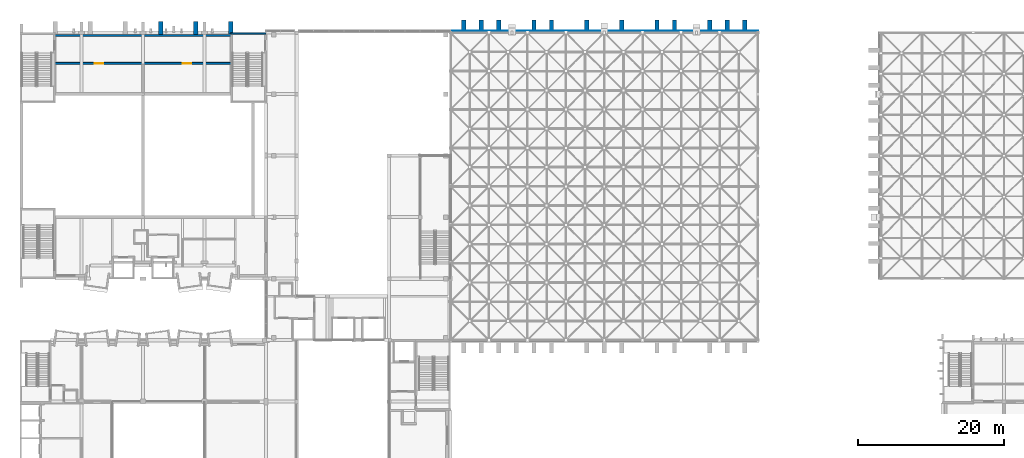
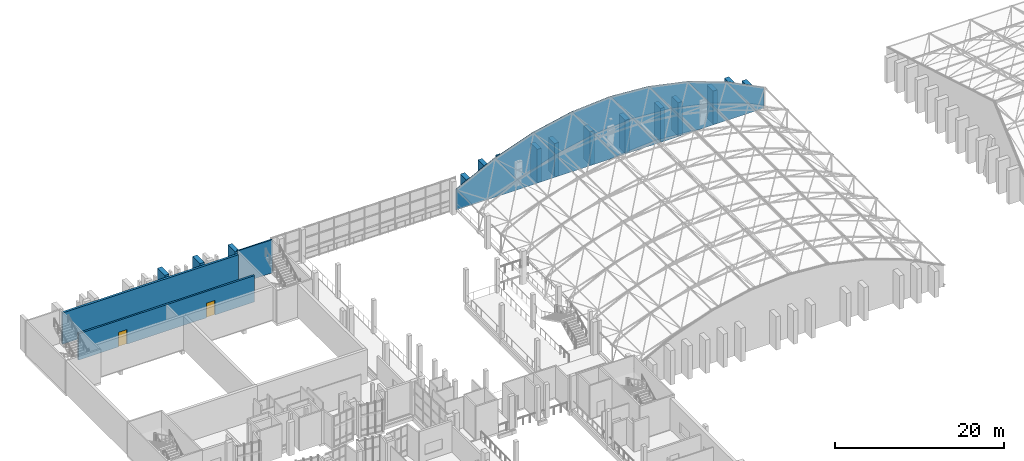
# One storey, part 70 of 100: 19 walls, 2 doors, 2 openings.
"""IFC4 building model written with IfcOpenShell, lengths in metres."""

import ifcopenshell
import ifcopenshell.guid

model = None  # the IFC model being written
_history = None  # IfcOwnerHistory: only IFC2X3 demands one
_inside = {}  # id of a spatial element -> (the spatial element, [elements in it])
_under = {}  # id of a project, library or spatial element -> (it, [spatial elements below it])
_declared = {}  # id of a project -> (the project, [libraries it declares])
_typed = {}  # id of a type object -> (the type object, [elements of that type])
_made_of = {}  # id of a material, layer set ... -> (it, [elements and type objects made of it])


def new_model(schema):
    """Start an empty IFC model of exactly this schema.

    Asked for "IFC4X3", IfcOpenShell would pick the latest addendum, in which some entities
    have other attributes; the version numbers below select the first issue.
    IFC2X3 requires an IfcOwnerHistory on every rooted entity: one is made here for all.
    """
    global model, _history
    if schema == "IFC4X3":
        model = ifcopenshell.file(schema_version=(4, 3, 0, 0))
    else:
        model = ifcopenshell.file(schema=schema)
    _inside.clear()
    _under.clear()
    _declared.clear()
    _typed.clear()
    _made_of.clear()
    _history = None
    if model.schema == "IFC2X3":
        org = make("IfcOrganization", Name="unknown")
        user = make(
            "IfcPersonAndOrganization",
            ThePerson=make("IfcPerson", FamilyName="unknown"),
            TheOrganization=org,
        )
        app = make(
            "IfcApplication",
            ApplicationDeveloper=org,
            Version="unknown",
            ApplicationFullName="unknown",
            ApplicationIdentifier="unknown",
        )
        _history = make(
            "IfcOwnerHistory",
            OwningUser=user,
            OwningApplication=app,
            ChangeAction="ADDED",
            CreationDate=0,
        )
    return model


def make(cls, **values):
    """One entity of the class cls with the attributes given. An attribute that is None is left unset."""
    return model.create_entity(
        cls, **{name: value for name, value in values.items() if value is not None}
    )


def rooted(cls, **values):
    """An entity with a GlobalId (a new one), such as an element, a storey or a relation."""
    return make(cls, GlobalId=ifcopenshell.guid.new(), OwnerHistory=_history, **values)


def si_unit(unit_type, name, prefix=None):
    """IfcSIUnit, for example si_unit("LENGTHUNIT", "METRE", prefix="MILLI")."""
    return make("IfcSIUnit", UnitType=unit_type, Prefix=prefix, Name=name)


def assignment(units):
    """IfcUnitAssignment: the units of a project."""
    return None if units is None else make("IfcUnitAssignment", Units=units)


def point(xyz):
    """IfcCartesianPoint."""
    return None if xyz is None else make("IfcCartesianPoint", Coordinates=xyz)


def direction(xyz):
    """IfcDirection."""
    return None if xyz is None else make("IfcDirection", DirectionRatios=xyz)


def frame(location, z_axis=None, x_axis=None):
    """IfcAxis2Placement3D, a coordinate frame: its origin and axes. An axis left out is left unset."""
    return make(
        "IfcAxis2Placement3D",
        Location=point(location),
        Axis=direction(z_axis),
        RefDirection=direction(x_axis),
    )


def frame_2d(location, x_axis=None):
    """IfcAxis2Placement2D, a coordinate frame in the plane: its origin and x axis."""
    return make(
        "IfcAxis2Placement2D", Location=point(location), RefDirection=direction(x_axis)
    )


def origin():
    """The frame at (0, 0, 0) with its axes left unset."""
    return frame((0.0, 0.0, 0.0))


def place(relative_to, where):
    """IfcLocalPlacement: puts the frame where relative to a parent placement (None: the world)."""
    return make(
        "IfcLocalPlacement", PlacementRelTo=relative_to, RelativePlacement=where
    )


def context(
    kind, dimensions, precision=None, world=None, true_north=None, identifier=None
):
    """IfcGeometricRepresentationContext, for example the 3D "Model" context."""
    return make(
        "IfcGeometricRepresentationContext",
        ContextIdentifier=identifier,
        ContextType=kind,
        CoordinateSpaceDimension=dimensions,
        Precision=precision,
        WorldCoordinateSystem=world,
        TrueNorth=true_north,
    )


def subcontext(parent, identifier, kind, view, scale=None):
    """IfcGeometricRepresentationSubContext, for example "Body" below "Model"."""
    return make(
        "IfcGeometricRepresentationSubContext",
        ContextIdentifier=identifier,
        ContextType=kind,
        ParentContext=parent,
        TargetScale=scale,
        TargetView=view,
    )


def project(units=None, contexts=None):
    """IfcProject with its units and contexts."""
    return rooted(
        "IfcProject",
        Name="project",
        RepresentationContexts=contexts,
        UnitsInContext=assignment(units),
    )


def spatial(cls, under=None, at=None, **own):
    """A site, building, storey or space (cls), placed at a placement, below another one or the project."""
    s = rooted(cls, ObjectPlacement=at, **own)
    if under is not None:
        _under.setdefault(under.id(), (under, []))[1].append(s)
    return s


def polyline(points):
    """IfcPolyline through the points."""
    return make("IfcPolyline", Points=[point(p) for p in points])


def profile(cls, at=None, kind="AREA", **sizes):
    """A parametric profile (cls). Its sizes go by their IFC names, for example OverallWidth=200.0."""
    return make(cls, ProfileType=kind, Position=at, **sizes)


def rectangle(**sizes):
    """IfcRectangleProfileDef."""
    return profile("IfcRectangleProfileDef", **sizes)


def outline(outer, holes=None, kind="AREA"):
    """IfcArbitraryClosedProfileDef: a profile drawn as a closed curve; with holes, ...WithVoids."""
    if holes is None:
        return make("IfcArbitraryClosedProfileDef", ProfileType=kind, OuterCurve=outer)
    return make(
        "IfcArbitraryProfileDefWithVoids",
        ProfileType=kind,
        OuterCurve=outer,
        InnerCurves=holes,
    )


def extrude(swept, where, along, depth):
    """IfcExtrudedAreaSolid: the profile swept, set in the frame where, extruded along a direction by depth."""
    return make(
        "IfcExtrudedAreaSolid",
        SweptArea=swept,
        Position=where,
        ExtrudedDirection=direction(along),
        Depth=depth,
    )


def shape(context_of_items, identifier, shape_type, items):
    """IfcShapeRepresentation: the items that make up one representation, for example the "Body"."""
    return make(
        "IfcShapeRepresentation",
        ContextOfItems=context_of_items,
        RepresentationIdentifier=identifier,
        RepresentationType=shape_type,
        Items=items,
    )


def material(Name=None, Category=None):
    """IfcMaterial."""
    return make("IfcMaterial", Name=Name, Category=Category)


def layer(
    of_material, thickness, ventilated=None, Name=None, Category=None, Priority=None
):
    """IfcMaterialLayer: one layer of a wall or slab, of a material (None: an air gap)."""
    return make(
        "IfcMaterialLayer",
        Material=of_material,
        LayerThickness=thickness,
        IsVentilated=ventilated,
        Name=Name,
        Category=Category,
        Priority=Priority,
    )


def layer_set(layers, Name=None):
    """IfcMaterialLayerSet."""
    return make("IfcMaterialLayerSet", MaterialLayers=layers, LayerSetName=Name)


def made_of(thing, what):
    """Note that an element or type object is made of a material, layer set ...; save() writes the relation."""
    if what is not None:
        _made_of.setdefault(what.id(), (what, []))[1].append(thing)
    return thing


def type_object(cls, material=None, **own):
    """A type object (cls), such as IfcWallType, which elements share."""
    return made_of(rooted(cls, **own), material)


def element(
    cls,
    number,
    at=None,
    inside=None,
    cuts=None,
    type_object=None,
    material=None,
    context=None,
    identifier="Body",
    shape_type=None,
    held_by="IfcProductDefinitionShape",
    body=None,
    shapes=None,
    **own,
):
    """One element of the class cls, such as IfcWall. Its Tag is "e" and its number.

    at: its placement. inside: the storey or other place that contains it. cuts: it is an
    opening in that element (IfcRelVoidsElement). A single representation is given by context,
    identifier, shape_type and body (its items); several are given by shapes. held_by: the class
    of the entity that holds the representations. save() writes the other relations.
    """
    e = rooted(cls, Tag="e%d" % number, ObjectPlacement=at, **own)
    if body is not None:
        shapes = [shape(context, identifier, shape_type, body)]
    if shapes is not None:
        e.Representation = make(held_by, Representations=shapes)
    if inside is not None:
        _inside.setdefault(inside.id(), (inside, []))[1].append(e)
    if cuts is not None:
        rooted(
            "IfcRelVoidsElement", RelatingBuildingElement=cuts, RelatedOpeningElement=e
        )
    if type_object is not None:
        _typed.setdefault(type_object.id(), (type_object, []))[1].append(e)
    return made_of(e, material)


def fill(opening, filler):
    """IfcRelFillsElement: the door or window that sits in an opening."""
    return rooted(
        "IfcRelFillsElement",
        RelatingOpeningElement=opening,
        RelatedBuildingElement=filler,
    )


def aggregate(whole, parts):
    """IfcRelAggregates: a whole, such as a stair, and the parts it consists of."""
    return rooted("IfcRelAggregates", RelatingObject=whole, RelatedObjects=parts)


def save(model, path):
    """Write the relations noted so far, then the file.

    IfcRelAggregates (storeys below a building ...), IfcRelContainedInSpatialStructure (elements
    in a storey), IfcRelDefinesByType, IfcRelAssociatesMaterial and IfcRelDeclares: one each for
    every whole, place, type object, material and project.
    """
    for whole, parts in _under.values():
        aggregate(whole, parts)
    for where, things in _inside.values():
        rooted(
            "IfcRelContainedInSpatialStructure",
            RelatedElements=things,
            RelatingStructure=where,
        )
    for kind, things in _typed.values():
        rooted("IfcRelDefinesByType", RelatedObjects=things, RelatingType=kind)
    for what, things in _made_of.values():
        rooted("IfcRelAssociatesMaterial", RelatedObjects=things, RelatingMaterial=what)
    for by, libraries in _declared.values():
        rooted("IfcRelDeclares", RelatingContext=by, RelatedDefinitions=libraries)
    model.write(path)


model = new_model("IFC4")

# Units and contexts
model_context = context("Model", 3, precision=1e-05, world=origin(), true_north=direction((0.0, 1.0)))
body_context = subcontext(model_context, "Body", "Model", "MODEL_VIEW")
ifc_project = project(units=[si_unit("LENGTHUNIT", "METRE"), si_unit("AREAUNIT", "SQUARE_METRE"), si_unit("VOLUMEUNIT", "CUBIC_METRE"), si_unit("PLANEANGLEUNIT", "RADIAN"), si_unit("MASSUNIT", "GRAM", prefix="KILO")], contexts=[model_context])

# Site, building, storey
site_placement = place(None, origin())
site = spatial("IfcSite", under=ifc_project, at=site_placement, CompositionType="ELEMENT")
building_placement = place(site_placement, origin())
building = spatial("IfcBuilding", under=site, at=building_placement, Name="Kiln Court Media Centre", CompositionType="ELEMENT")
storey_placement = place(building_placement, frame((0.0, 0.0, 15.0)))
storey = spatial("IfcBuildingStorey", under=building, at=storey_placement, Name="L03", CompositionType="ELEMENT", Elevation=15.0)

# Walls
ifc_material_1 = material(Name="Aluminium 6063-T6", Category="aluminium")
ifc_layer_1 = layer(ifc_material_1, 0.10009765625)
ifc_layer_set_1 = layer_set([ifc_layer_1], Name="Aluminium louvred gable infill wall 100")
wall_type_1 = type_object("IfcWallType", Name="Aluminium louvred gable infill wall 100", PredefinedType="SOLIDWALL", material=ifc_layer_set_1)
wall_1_placement = place(storey_placement, frame((58.800048828125, 67.376220703125, 0.0), z_axis=(0.0, 0.0, 1.0), x_axis=(1.0, 0.0, 0.0)))
element("IfcWall", 1, at=wall_1_placement, inside=storey, type_object=wall_type_1, Name="V1 N gable infill wall", PredefinedType="SOLIDWALL", context=body_context, shape_type="SweptSolid", body=[
    extrude(outline(polyline([(0.0, 0.0), (42.0, 0.0), (42.0, 3.0), (36.75, 5.625), (31.5, 7.5), (26.25, 8.625), (21.0, 9.0), (15.75, 8.625), (10.5, 7.5), (5.25, 5.625), (0.0, 3.0), (0.0, 0.0)])), frame((0.0, 0.050048828125, 0.0), z_axis=(0.0, -1.0, 0.0), x_axis=(1.0, 0.0, 0.0)), (0.0, 0.0, 1.0), 0.10009765625),
])
ifc_material_2 = material(Name="Concrete C40/50", Category="concrete")
ifc_layer_2 = layer(ifc_material_2, 0.300048828125)
ifc_layer_set_2 = layer_set([ifc_layer_2], Name="Concrete C40/50 board-marked facade wall 300")
wall_type_2 = type_object("IfcWallType", Name="Concrete C40/50 board-marked facade wall 300", PredefinedType="SOLIDWALL", material=ifc_layer_set_2)
wall_2_placement = place(storey_placement, frame((4.800048828125, 66.800048828125, 0.0), z_axis=(0.0, 0.0, 1.0), x_axis=(1.0, 0.0, 0.0)))
element("IfcWall", 2, at=wall_2_placement, inside=storey, type_object=wall_type_2, Name="V4 N facade wall 4007", PredefinedType="SOLIDWALL", context=body_context, shape_type="SweptSolid", body=[
    extrude(rectangle(XDim=24.0, YDim=0.300048828125, at=frame_2d((12.0, 0.0))), origin(), (0.0, 0.0, 1.0), 4.5),
])
ifc_material_3 = material(Name="Concrete C40/50", Category="concrete")
ifc_layer_3 = layer(ifc_material_3, 0.60009765625)
ifc_layer_set_3 = layer_set([ifc_layer_3], Name="Concrete C40/50 cast rib 600x1500")
wall_type_3 = type_object("IfcWallType", Name="Concrete C40/50 cast rib 600x1500", PredefinedType="SOLIDWALL", material=ifc_layer_set_3)
wall_3_placement = place(storey_placement, frame((60.60009765625, 67.42626953125, 0.0), z_axis=(0.0, 0.0, 1.0), x_axis=(0.0, 1.0, 0.0)))
element("IfcWall", 3, at=wall_3_placement, inside=storey, type_object=wall_type_3, Name="V1 N gable rib", PredefinedType="SOLIDWALL", context=body_context, shape_type="SweptSolid", body=[
    extrude(rectangle(XDim=1.5, YDim=0.60009765625, at=frame_2d((0.75, 0.0))), origin(), (0.0, 0.0, 1.0), 3.72998046875),
])
wall_4_placement = place(storey_placement, frame((63.0, 67.42626953125, 0.0), z_axis=(0.0, 0.0, 1.0), x_axis=(0.0, 1.0, 0.0)))
element("IfcWall", 4, at=wall_4_placement, inside=storey, type_object=wall_type_3, Name="V1 N gable rib", PredefinedType="SOLIDWALL", context=body_context, shape_type="SweptSolid", body=[
    extrude(rectangle(XDim=1.5, YDim=0.60009765625, at=frame_2d((0.75, 0.0))), origin(), (0.0, 0.0, 1.0), 4.929931640625),
])
for number, where, z_axis, x_axis, name in (
    (5, (65.39990234375, 67.42626953125, 0.0), (0.0, 0.0, 1.0), (0.0, 1.0, 0.0), "V1 N gable rib"),
    (6, (70.199951171875, 67.42626953125, 0.0), (0.0, 0.0, 1.0), (0.0, 1.0, 0.0), "V1 N gable rib"),
    (7, (72.60009765625, 67.42626953125, 0.0), (0.0, 0.0, 1.0), (0.0, 1.0, 0.0), "V1 N gable rib"),
    (8, (77.39990234375, 67.42626953125, 0.0), (0.0, 0.0, 1.0), (0.0, 1.0, 0.0), "V1 N gable rib"),
    (9, (82.199951171875, 67.42626953125, 0.0), (0.0, 0.0, 1.0), (0.0, 1.0, 0.0), "V1 N gable rib"),
    (10, (87.0, 67.42626953125, 0.0), (0.0, 0.0, 1.0), (0.0, 1.0, 0.0), "V1 N gable rib"),
    (11, (89.39990234375, 67.42626953125, 0.0), (0.0, 0.0, 1.0), (0.0, 1.0, 0.0), "V1 N gable rib"),
    (12, (94.199951171875, 67.42626953125, 0.0), (0.0, 0.0, 1.0), (0.0, 1.0, 0.0), "V1 N gable rib"),
):
    element("IfcWall", number, at=place(storey_placement, frame(where, z_axis=z_axis, x_axis=x_axis)), inside=storey, type_object=wall_type_3, Name=name, PredefinedType="SOLIDWALL", context=body_context, shape_type="SweptSolid", body=[
        extrude(rectangle(XDim=1.5, YDim=0.60009765625, at=frame_2d((0.75, 0.0))), origin(), (0.0, 0.0, 1.0), 4.800048828125),
    ])
wall_5_placement = place(storey_placement, frame((96.60009765625, 67.42626953125, 0.0), z_axis=(0.0, 0.0, 1.0), x_axis=(0.0, 1.0, 0.0)))
element("IfcWall", 13, at=wall_5_placement, inside=storey, type_object=wall_type_3, Name="V1 N gable rib", PredefinedType="SOLIDWALL", context=body_context, shape_type="SweptSolid", body=[
    extrude(rectangle(XDim=1.5, YDim=0.60009765625, at=frame_2d((0.75, 0.0))), origin(), (0.0, 0.0, 1.0), 4.929931640625),
])
wall_6_placement = place(storey_placement, frame((99.0, 67.42626953125, 0.0), z_axis=(0.0, 0.0, 1.0), x_axis=(0.0, 1.0, 0.0)))
element("IfcWall", 14, at=wall_6_placement, inside=storey, type_object=wall_type_3, Name="V1 N gable rib", PredefinedType="SOLIDWALL", context=body_context, shape_type="SweptSolid", body=[
    extrude(rectangle(XDim=1.5, YDim=0.60009765625, at=frame_2d((0.75, 0.0))), origin(), (0.0, 0.0, 1.0), 3.72998046875),
])
for number, where, z_axis, x_axis, name in (
    (15, (19.199951171875, 66.949951171875, 0.0), (0.0, 0.0, 1.0), (0.0, 1.0, 0.0), "V4 N cast rib 4"),
    (16, (24.0, 66.949951171875, 0.0), (0.0, 0.0, 1.0), (0.0, 1.0, 0.0), "V4 N cast rib 5"),
):
    element("IfcWall", number, at=place(storey_placement, frame(where, z_axis=z_axis, x_axis=x_axis)), inside=storey, type_object=wall_type_3, Name=name, PredefinedType="SOLIDWALL", context=body_context, shape_type="SweptSolid", body=[
        extrude(rectangle(XDim=1.75, YDim=0.60009765625, at=frame_2d((0.875, 0.0))), origin(), (0.0, 0.0, 1.0), 4.800048828125),
    ])
wall_7_placement = place(storey_placement, frame((28.800048828125, 67.0, 0.0), z_axis=(0.0, 0.0, 1.0), x_axis=(0.0, 1.0, 0.0)))
element("IfcWall", 17, at=wall_7_placement, inside=storey, type_object=wall_type_3, Name="V4 N cast rib 6", PredefinedType="SOLIDWALL", context=body_context, shape_type="SweptSolid", body=[
    extrude(rectangle(XDim=1.699951171875, YDim=0.60009765625, at=frame_2d((0.85009765625, 0.0))), origin(), (0.0, 0.0, 1.0), 4.800048828125),
])
ifc_material_4 = material(Name="Concrete C40/50", Category="concrete")
ifc_layer_4 = layer(ifc_material_4, 0.199951171875)
ifc_layer_set_4 = layer_set([ifc_layer_4], Name="Concrete C40/50 shear wall 200")
wall_type_4 = type_object("IfcWallType", Name="Concrete C40/50 shear wall 200", PredefinedType="SHEAR", material=ifc_layer_set_4)
wall_8_placement = place(storey_placement, frame((28.800048828125, 67.10009765625, 0.0), z_axis=(0.0, 0.0, 1.0), x_axis=(1.0, 0.0, 0.0)))
element("IfcWall", 18, at=wall_8_placement, inside=storey, type_object=wall_type_4, Name="L03-W-1029", PredefinedType="SHEAR", context=body_context, shape_type="SweptSolid", body=[
    extrude(rectangle(XDim=4.800048828125, YDim=0.199951171875, at=frame_2d((2.39990234375, 0.0))), origin(), (0.0, 0.0, 1.0), 4.800048828125),
])

# Wall, openings, doors
ifc_material_5 = material(Name="Gypsum plasterboard", Category="gypsum")
ifc_layer_5 = layer(ifc_material_5, 0.25)
ifc_layer_set_5 = layer_set([ifc_layer_5], Name="Double-leaf acoustic wall 250 EI 120")
wall_type_5 = type_object("IfcWallType", Name="Double-leaf acoustic wall 250 EI 120", PredefinedType="PARTITIONING", material=ifc_layer_set_5)
wall_9_placement = place(storey_placement, frame((4.800048828125, 63.0, 0.0), z_axis=(0.0, 0.0, 1.0), x_axis=(1.0, 0.0, 0.0)))
wall_9 = element("IfcWall", 19, at=wall_9_placement, inside=storey, type_object=wall_type_5, Name="L03 double-leaf acoustic wall", PredefinedType="PARTITIONING", context=body_context, shape_type="SweptSolid", body=[
    extrude(rectangle(XDim=23.999755859375, YDim=0.25, at=frame_2d((12.0, 0.0))), origin(), (0.0, 0.0, 1.0), 3.800048828125),
])
opening_1_placement = place(wall_9_placement, frame((5.39990234375, 0.0, 0.0)))
opening_1 = element("IfcOpeningElement", 20, at=opening_1_placement, cuts=wall_9, Name="Opening D3015", PredefinedType="OPENING", context=body_context, shape_type="SweptSolid", body=[
    extrude(rectangle(XDim=1.199951171875, YDim=2.10009765625, at=frame_2d((0.60009765625, 1.050048828125))), frame((0.0, 0.135009765625, 0.0), z_axis=(0.0, -1.0, 0.0), x_axis=(1.0, 0.0, 0.0)), (0.0, 0.0, 1.0), 0.27001953125),
])
opening_2_placement = place(wall_9_placement, frame((17.39990234375, 0.0, 0.0)))
opening_2 = element("IfcOpeningElement", 21, at=opening_2_placement, cuts=wall_9, Name="Opening D3016", PredefinedType="OPENING", context=body_context, shape_type="SweptSolid", body=[
    extrude(rectangle(XDim=1.199951171875, YDim=2.10009765625, at=frame_2d((0.60009765625, 1.050048828125))), frame((0.0, 0.135009765625, 0.0), z_axis=(0.0, -1.0, 0.0), x_axis=(1.0, 0.0, 0.0)), (0.0, 0.0, 1.0), 0.27001953125),
])
ifc_material_6 = material(Name="Steel S275", Category="steel")
door_type = type_object("IfcDoorType", Name="Acoustic studio door 1200 x 2100 FD180", OperationType="SINGLE_SWING_LEFT", PredefinedType="DOOR", material=ifc_material_6)
door_1_placement = place(opening_1_placement, origin())
door_1 = element("IfcDoor", 22, at=door_1_placement, inside=storey, type_object=door_type, Name="Projection Room Screen 5 / Rear Exit Corridor", OperationType="SINGLE_SWING_RIGHT", OverallHeight=2.10009765625, OverallWidth=1.199951171875, PredefinedType="DOOR", context=body_context, shape_type="SweptSolid", body=[
    extrude(rectangle(XDim=1.199951171875, YDim=2.10009765625, at=frame_2d((0.60009765625, 1.050048828125))), frame((0.0, 0.02490234375, 0.0), z_axis=(0.0, -1.0, 0.0), x_axis=(1.0, 0.0, 0.0)), (0.0, 0.0, 1.0), 0.050048828125),
])
fill(opening_1, door_1)
door_2_placement = place(opening_2_placement, origin())
door_2 = element("IfcDoor", 23, at=door_2_placement, inside=storey, type_object=door_type, Name="Projection Room Screen 6 / Rear Exit Corridor", OperationType="SINGLE_SWING_RIGHT", OverallHeight=2.10009765625, OverallWidth=1.199951171875, PredefinedType="DOOR", context=body_context, shape_type="SweptSolid", body=[
    extrude(rectangle(XDim=1.199951171875, YDim=2.10009765625, at=frame_2d((0.60009765625, 1.050048828125))), frame((0.0, 0.02490234375, 0.0), z_axis=(0.0, -1.0, 0.0), x_axis=(1.0, 0.0, 0.0)), (0.0, 0.0, 1.0), 0.050048828125),
])
fill(opening_2, door_2)

save(model, "model.ifc")
